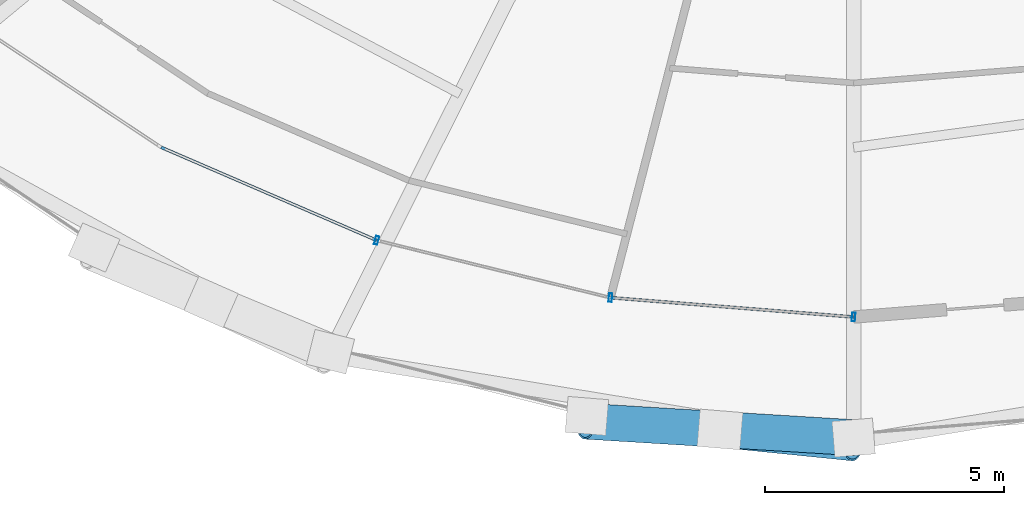
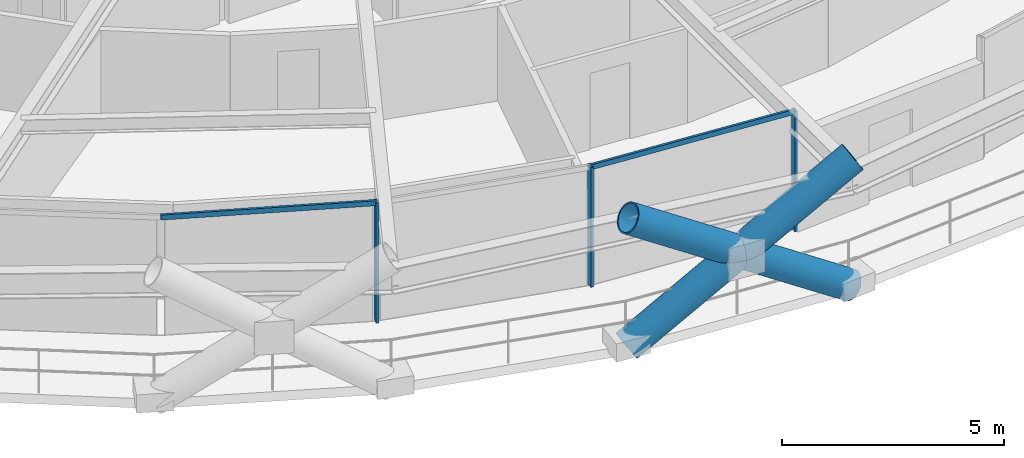
# One storey, part 4 of 17: 8 members, 1 element without a shape of its own.
"""IFC4 building model written with IfcOpenShell, lengths in metres."""

from ifc_helpers import new_model, si_unit, direction, frame, origin, origin_2d, place, context, subcontext, project, spatial, hollow_rectangle, hollow_circle, extrude, material, layer, layer_set, material_profile, profile_set, type_object, element, aggregate, save


model = new_model("IFC4")

# Units and contexts
model_context = context("Model", 3, precision=1e-05, world=origin(), true_north=direction((0.0, 1.0)))
body_context = subcontext(model_context, "Body", "Model", "MODEL_VIEW")
ifc_project = project(units=[si_unit("LENGTHUNIT", "METRE"), si_unit("AREAUNIT", "SQUARE_METRE"), si_unit("VOLUMEUNIT", "CUBIC_METRE"), si_unit("PLANEANGLEUNIT", "RADIAN"), si_unit("MASSUNIT", "GRAM", prefix="KILO")], contexts=[model_context])

# Site, building, storey
site_placement = place(None, origin())
site = spatial("IfcSite", under=ifc_project, at=site_placement, CompositionType="ELEMENT")
building_placement = place(site_placement, origin())
building = spatial("IfcBuilding", under=site, at=building_placement, Name="Veldorina Hangang Commons", CompositionType="ELEMENT")
storey_placement = place(building_placement, frame((0.0, 0.0, 55.60009765625)))
storey = spatial("IfcBuildingStorey", under=building, at=storey_placement, Name="L13", CompositionType="ELEMENT", Elevation=55.60009765625)

# Curtain wall, members
ifc_material_1 = material(Name="Glass Low-E Triple IGU", Category="glass")
ifc_layer = layer(ifc_material_1, 0.179931640625)
ifc_layer_set = layer_set([ifc_layer], Name="Glass Low-E Triple IGU")
curtain_wall_type = type_object("IfcCurtainWallType", Name="CW-SYS-Z1", PredefinedType="NOTDEFINED", material=ifc_layer_set)
curtain_wall_placement = place(storey_placement, origin())
curtain_wall = element("IfcCurtainWall", 1, at=curtain_wall_placement, inside=storey, type_object=curtain_wall_type, Name="L13 unitised curtain wall CW-L13-R1", PredefinedType="NOTDEFINED")
ifc_material_2 = material(Name="Aluminium Anodized AA6063-T6", Category="aluminium")
ifc_material_profile_1 = material_profile(ifc_material_2, hollow_rectangle(XDim=0.070068359375, YDim=0.179931640625, WallThickness=0.00390625, at=origin_2d()), Name="ALU-RHS-180x70x4")
ifc_profile_set_1 = profile_set([ifc_material_profile_1], Name="Aluminium Anodized AA6063-T6")
member_type_1 = type_object("IfcMemberType", Name="CW-MUL-180", PredefinedType="MULLION", material=ifc_profile_set_1)
member_1_placement = place(storey_placement, frame((22.03466796875, 4.560791015625, 0.0), z_axis=(0.0, 0.0, 1.0), x_axis=(0.97125073338, -0.238058843376, 0.0)))
member_1 = element("IfcMember", 2, at=member_1_placement, type_object=member_type_1, Name="CW-L13-R1 vertical mullion 2", PredefinedType="MULLION", context=body_context, shape_type="SweptSolid", body=[
    extrude(hollow_rectangle(XDim=0.070068359375, YDim=0.179931640625, WallThickness=0.00390625, at=origin_2d()), origin(), (0.0, 0.0, 1.0), 3.2998046875),
])
member_2_placement = place(storey_placement, frame((26.919677734375, 3.363525390625, 0.0), z_axis=(0.0, 0.0, 1.0), x_axis=(0.996848485666, -0.079329040235, 0.0)))
member_2 = element("IfcMember", 3, at=member_2_placement, type_object=member_type_1, Name="CW-L13-R1 vertical mullion 3", PredefinedType="MULLION", context=body_context, shape_type="SweptSolid", body=[
    extrude(hollow_rectangle(XDim=0.070068359375, YDim=0.179931640625, WallThickness=0.00390625, at=origin_2d()), origin(), (0.0, 0.0, 1.0), 3.2998046875),
])
member_3_placement = place(storey_placement, frame((32.0, 2.959228515625, 0.0), z_axis=(0.0, 0.0, 1.0), x_axis=(-0.996848485666, 0.079329040235, 0.0)))
member_3 = element("IfcMember", 4, at=member_3_placement, type_object=member_type_1, Name="CW-L13-R1 vertical mullion 4", PredefinedType="MULLION", context=body_context, shape_type="SweptSolid", body=[
    extrude(hollow_rectangle(XDim=0.070068359375, YDim=0.179931640625, WallThickness=0.00390625, at=origin_2d()), origin(), (0.0, 0.0, 1.0), 3.2998046875),
])
ifc_material_profile_2 = material_profile(ifc_material_2, hollow_rectangle(XDim=0.06005859375, YDim=0.139892578125, WallThickness=0.00341796875, at=origin_2d()), Name="ALU-RHS-140x60x3.5")
ifc_profile_set_2 = profile_set([ifc_material_profile_2], Name="Aluminium Anodized AA6063-T6")
member_type_2 = type_object("IfcMemberType", Name="CW-TRN-140", PredefinedType="USERDEFINED", material=ifc_profile_set_2)
member_4_placement = place(storey_placement, frame((17.53271484375, 6.50537109375, 3.260009765625), z_axis=(0.918021168769, -0.396531377942, 0.0), x_axis=(0.396531377942, 0.918021168769, 0.0)))
member_4 = element("IfcMember", 5, at=member_4_placement, type_object=member_type_2, Name="CW-L13-R1 facet 2 transom 1", ObjectType="TRANSOM", PredefinedType="USERDEFINED", context=body_context, shape_type="SweptSolid", body=[
    extrude(hollow_rectangle(XDim=0.06005859375, YDim=0.139892578125, WallThickness=0.00341796875, at=origin_2d()), origin(), (0.0, 0.0, 1.0), 4.904052734375),
])
member_5_placement = place(storey_placement, frame((26.919677734375, 3.363525390625, 3.260009765625), z_axis=(0.996848397903, -0.07933014306, 0.0), x_axis=(0.07933014306, 0.996848397903, 0.0)))
member_5 = element("IfcMember", 6, at=member_5_placement, type_object=member_type_2, Name="CW-L13-R1 facet 4 transom 1", ObjectType="TRANSOM", PredefinedType="USERDEFINED", context=body_context, shape_type="SweptSolid", body=[
    extrude(hollow_rectangle(XDim=0.06005859375, YDim=0.139892578125, WallThickness=0.00341796875, at=origin_2d()), origin(), (0.0, 0.0, 1.0), 5.096435546875),
])
aggregate(curtain_wall, [member_1, member_2, member_3, member_4, member_5])

# Members
ifc_material_3 = material(Name="Steel SM460-TMC", Category="steel")
ifc_material_profile_3 = material_profile(ifc_material_3, hollow_circle(Radius=0.375, WallThickness=0.035888671875, at=origin_2d()), Name="CHS-750x36")
ifc_profile_set_3 = profile_set([ifc_material_profile_3], Name="Steel SM460-TMC")
member_type_3 = type_object("IfcMemberType", Name="DG-CHS750", PredefinedType="BRACE", material=ifc_profile_set_3)
member_6_placement = place(storey_placement, frame((26.427978515625, 0.89208984375, 0.0), z_axis=(0.836926225296, -0.084818400697, 0.540703553082), x_axis=(0.100828659736, 0.994903805087, 0.0)))
element("IfcMember", 7, at=member_6_placement, inside=storey, type_object=member_type_3, Name="L13 continuous perimeter diagrid brace 23", PredefinedType="BRACE", context=body_context, shape_type="SweptSolid", body=[
    extrude(hollow_circle(Radius=0.375, WallThickness=0.035888671875, at=origin_2d()), origin(), (0.0, 0.0, 1.0), 6.65771484375),
])
member_7_placement = place(storey_placement, frame((32.0, 0.439208984375, 0.0), z_axis=(-0.839812896424, 0.0514141182, 0.54043583102), x_axis=(-0.061106513523, -0.998131250891, 0.0)))
element("IfcMember", 8, at=member_7_placement, inside=storey, type_object=member_type_3, Name="L13 split perimeter diagrid lower brace 24", PredefinedType="BRACE", context=body_context, shape_type="SweptSolid", body=[
    extrude(hollow_circle(Radius=0.375, WallThickness=0.035888671875, at=origin_2d()), origin(), (0.0, 0.0, 1.0), 3.323974609375),
])
member_8_placement = place(storey_placement, frame((29.20849609375, 0.610107421875, 1.79638671875), z_axis=(-0.839782846496, 0.051581016447, 0.540466621978), x_axis=(-0.061306315918, -0.998118998731, 0.0)))
element("IfcMember", 9, at=member_8_placement, inside=storey, type_object=member_type_3, Name="L13 split perimeter diagrid upper brace 24", PredefinedType="BRACE", context=body_context, shape_type="SweptSolid", body=[
    extrude(hollow_circle(Radius=0.375, WallThickness=0.035888671875, at=origin_2d()), origin(), (0.0, 0.0, 1.0), 3.3369140625),
])

save(model, "model.ifc")
